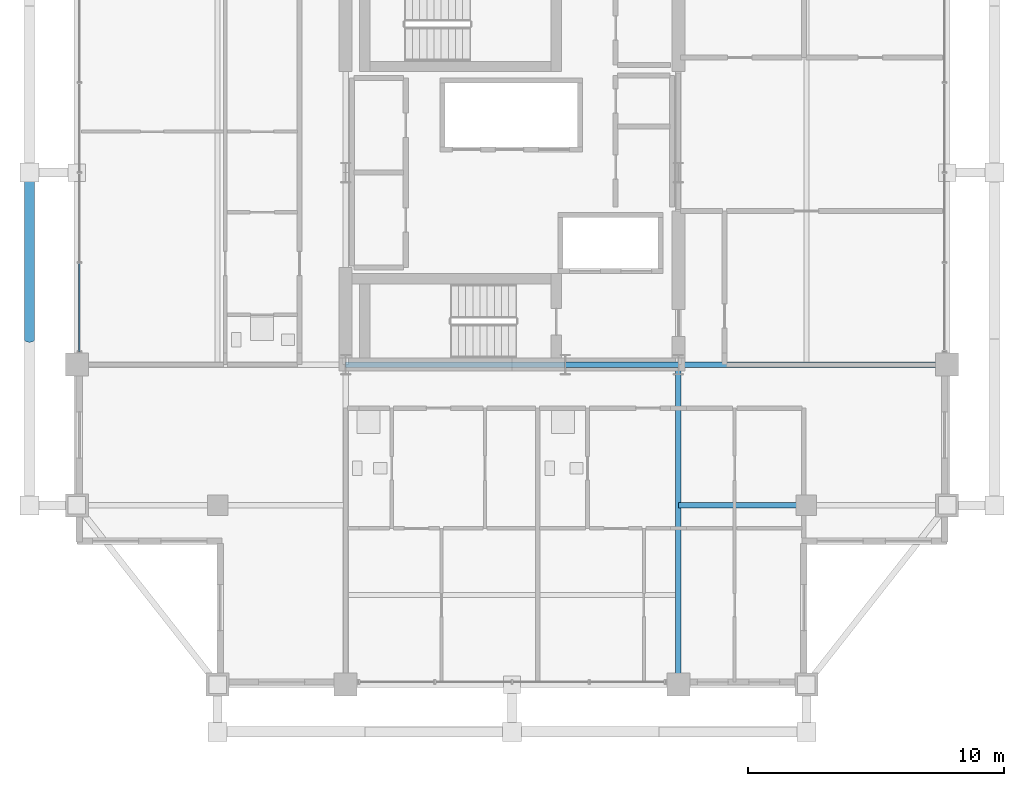
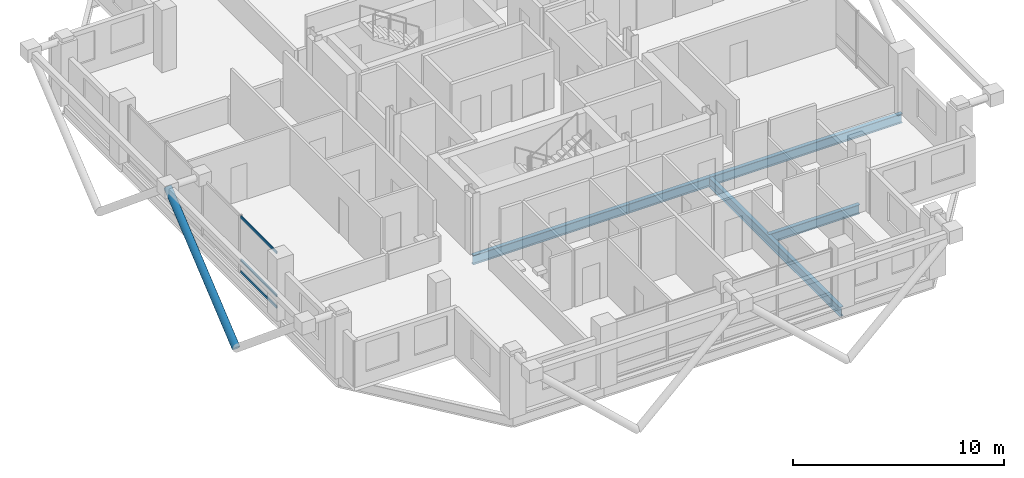
# One storey, part 7 of 25: 5 beams, 4 members, 1 element without a shape of its own.
"""IFC4 building model written with IfcOpenShell, lengths in metres."""

from ifc_helpers import new_model, si_unit, direction, frame, origin, origin_2d, place, context, subcontext, project, spatial, hollow_rectangle, hollow_circle, i_section, extrude, material, layer, layer_set, material_profile, profile_set, type_object, element, aggregate, save


model = new_model("IFC4")

# Units and contexts
model_context = context("Model", 3, precision=1e-05, world=origin(), true_north=direction((0.0, 1.0)))
body_context = subcontext(model_context, "Body", "Model", "MODEL_VIEW")
ifc_project = project(units=[si_unit("LENGTHUNIT", "METRE"), si_unit("AREAUNIT", "SQUARE_METRE"), si_unit("VOLUMEUNIT", "CUBIC_METRE"), si_unit("PLANEANGLEUNIT", "RADIAN"), si_unit("MASSUNIT", "GRAM", prefix="KILO")], contexts=[model_context])

# Site, building, storey
site_placement = place(None, origin())
site = spatial("IfcSite", under=ifc_project, at=site_placement, CompositionType="ELEMENT")
building_placement = place(site_placement, origin())
building = spatial("IfcBuilding", under=site, at=building_placement, Name="Barlavira Tower and Art Museum", CompositionType="ELEMENT")
storey_placement = place(building_placement, frame((0.0, 0.0, 301.5)))
storey = spatial("IfcBuildingStorey", under=building, at=storey_placement, Name="L79", CompositionType="ELEMENT", Elevation=301.5)

# Curtain wall, members
ifc_material_1 = material(Name="Low-iron coastal laminated glass", Category="glass")
ifc_layer = layer(ifc_material_1, 0.2099609375, Name="Low-iron coastal laminated glass")
ifc_layer_set = layer_set([ifc_layer], Name="Low-iron coastal laminated glass")
curtain_wall_type = type_object("IfcCurtainWallType", Name="Pale-Metal Unitised Curtain Wall Zone 4", PredefinedType="NOTDEFINED", material=ifc_layer_set)
curtain_wall_placement = place(storey_placement, origin())
curtain_wall = element("IfcCurtainWall", 1, at=curtain_wall_placement, inside=storey, type_object=curtain_wall_type, Name="L79 Curtain Wall CW4-L79-W-B3", PredefinedType="NOTDEFINED")
ifc_material_2 = material(Name="Pale anodised aluminium", Category="aluminium")
ifc_material_profile_1 = material_profile(ifc_material_2, hollow_rectangle(XDim=0.06494140625, YDim=0.139892578125, WallThickness=0.00390625, at=origin_2d()), Name="ALU-TRAN 65x140x4")
ifc_profile_set_1 = profile_set([ifc_material_profile_1], Name="Pale anodised aluminium")
member_type_1 = type_object("IfcMemberType", Name="Curtain Wall Pale-Metal Transom 65x140", PredefinedType="USERDEFINED", material=ifc_profile_set_1)
member_1_placement = place(storey_placement, frame((-16.89990234375, -3.56005859375, 0.070068359375), z_axis=(0.0, -1.0, 0.0), x_axis=(1.0, 0.0, 0.0)))
member_1 = element("IfcMember", 2, at=member_1_placement, type_object=member_type_1, Name="CW4-L79-W-B3 Transom 3.1", ObjectType="TRANSOM", PredefinedType="USERDEFINED", context=body_context, shape_type="SweptSolid", body=[
    extrude(hollow_rectangle(XDim=0.06494140625, YDim=0.139892578125, WallThickness=0.00390625, at=origin_2d()), origin(), (0.0, 0.0, 1.0), 3.425048828125),
])
member_2_placement = place(storey_placement, frame((-16.89990234375, -3.56005859375, 0.72607421875), z_axis=(0.0, -1.0, 0.0), x_axis=(1.0, 0.0, 0.0)))
member_2 = element("IfcMember", 3, at=member_2_placement, type_object=member_type_1, Name="CW4-L79-W-B3 Transom 3.2", ObjectType="TRANSOM", PredefinedType="USERDEFINED", context=body_context, shape_type="SweptSolid", body=[
    extrude(hollow_rectangle(XDim=0.06494140625, YDim=0.139892578125, WallThickness=0.00390625, at=origin_2d()), origin(), (0.0, 0.0, 1.0), 3.425048828125),
])
member_3_placement = place(storey_placement, frame((-16.89990234375, -3.56005859375, 3.22998046875), z_axis=(0.0, -1.0, 0.0), x_axis=(1.0, 0.0, 0.0)))
member_3 = element("IfcMember", 4, at=member_3_placement, type_object=member_type_1, Name="CW4-L79-W-B3 Transom 3.3", ObjectType="TRANSOM", PredefinedType="USERDEFINED", context=body_context, shape_type="SweptSolid", body=[
    extrude(hollow_rectangle(XDim=0.06494140625, YDim=0.139892578125, WallThickness=0.00390625, at=origin_2d()), origin(), (0.0, 0.0, 1.0), 3.425048828125),
])
aggregate(curtain_wall, [member_1, member_2, member_3])

# Member
ifc_material_3 = material(Name="Steel S355", Category="steel")
ifc_material_profile_2 = material_profile(ifc_material_3, hollow_circle(Radius=0.203125, WallThickness=0.01611328125, at=origin_2d()), Name="CHS 406.4x16.0")
ifc_profile_set_2 = profile_set([ifc_material_profile_2], Name="Steel S355")
member_type_2 = type_object("IfcMemberType", Name="Pale-Metal Exoskeleton Diagrid Tube CHS 406x16 Steel S355", PredefinedType="BRACE", material=ifc_profile_set_2)
member_4_placement = place(storey_placement, frame((-18.85009765625, -6.5, -1.919921875), z_axis=(0.0, 0.769196053329, 0.639012857104), x_axis=(-1.0, 0.0, 0.0)))
element("IfcMember", 5, at=member_4_placement, inside=storey, type_object=member_type_2, Name="L79 Exoskeleton Diagrid Tube W", PredefinedType="BRACE", context=body_context, shape_type="SweptSolid", body=[
    extrude(hollow_circle(Radius=0.203125, WallThickness=0.01611328125, at=origin_2d()), origin(), (0.0, 0.0, 1.0), 8.450439453125),
])

# Beams
ifc_material_profile_3 = material_profile(ifc_material_3, i_section(OverallWidth=0.2109375, OverallDepth=0.5390625, WebThickness=0.01171875, FlangeThickness=0.018798828125, at=origin_2d()), Name="W530x109.0")
ifc_profile_set_3 = profile_set([ifc_material_profile_3], Name="Steel S355")
beam_type = type_object("IfcBeamType", Name="Zone 3-4 Primary Floor Girder W530x109 Steel S355", PredefinedType="BEAM", material=ifc_profile_set_3)
beam_1_placement = place(storey_placement, frame((-6.5, -7.5, -0.489501953125), z_axis=(1.0, 0.0, 0.0), x_axis=(0.0, 1.0, 0.0)))
element("IfcBeam", 6, at=beam_1_placement, inside=storey, type_object=beam_type, Name="L79 Girder C-S1", PredefinedType="BEAM", context=body_context, shape_type="SweptSolid", body=[
    extrude(i_section(OverallWidth=0.2109375, OverallDepth=0.5390625, WebThickness=0.01171875, FlangeThickness=0.018798828125, at=origin_2d()), origin(), (0.0, 0.0, 1.0), 8.580078125),
])
beam_2_placement = place(storey_placement, frame((2.080078125, -7.5, -0.489501953125), z_axis=(1.0, 0.0, 0.0), x_axis=(0.0, 1.0, 0.0)))
element("IfcBeam", 7, at=beam_2_placement, inside=storey, type_object=beam_type, Name="L79 Girder C-S2", PredefinedType="BEAM", context=body_context, shape_type="SweptSolid", body=[
    extrude(i_section(OverallWidth=0.2109375, OverallDepth=0.5390625, WebThickness=0.01171875, FlangeThickness=0.018798828125, at=origin_2d()), origin(), (0.0, 0.0, 1.0), 4.419921875),
])
beam_3_placement = place(storey_placement, frame((6.5, -20.0, -0.489501953125), z_axis=(0.0, 1.0, 0.0), x_axis=(-1.0, 0.0, 0.0)))
element("IfcBeam", 8, at=beam_3_placement, inside=storey, type_object=beam_type, Name="L79 Girder R-S2", PredefinedType="BEAM", context=body_context, shape_type="SweptSolid", body=[
    extrude(i_section(OverallWidth=0.2109375, OverallDepth=0.5390625, WebThickness=0.01171875, FlangeThickness=0.018798828125, at=origin_2d()), origin(), (0.0, 0.0, 1.0), 12.5),
])
beam_4_placement = place(storey_placement, frame((6.5, -7.5, -0.489501953125), z_axis=(1.0, 0.0, 0.0), x_axis=(0.0, 1.0, 0.0)))
element("IfcBeam", 9, at=beam_4_placement, inside=storey, type_object=beam_type, Name="L79 Girder R-E1", PredefinedType="BEAM", context=body_context, shape_type="SweptSolid", body=[
    extrude(i_section(OverallWidth=0.2109375, OverallDepth=0.5390625, WebThickness=0.01171875, FlangeThickness=0.018798828125, at=origin_2d()), origin(), (0.0, 0.0, 1.0), 10.5),
])
beam_5_placement = place(storey_placement, frame((6.5, -13.0, -0.489501953125), z_axis=(1.0, 0.0, 0.0), x_axis=(0.0, 1.0, 0.0)))
element("IfcBeam", 10, at=beam_5_placement, inside=storey, type_object=beam_type, Name="L79 Girder I-S3", PredefinedType="BEAM", context=body_context, shape_type="SweptSolid", body=[
    extrude(i_section(OverallWidth=0.2109375, OverallDepth=0.5390625, WebThickness=0.01171875, FlangeThickness=0.018798828125, at=origin_2d()), origin(), (0.0, 0.0, 1.0), 5.0),
])

save(model, "model.ifc")
